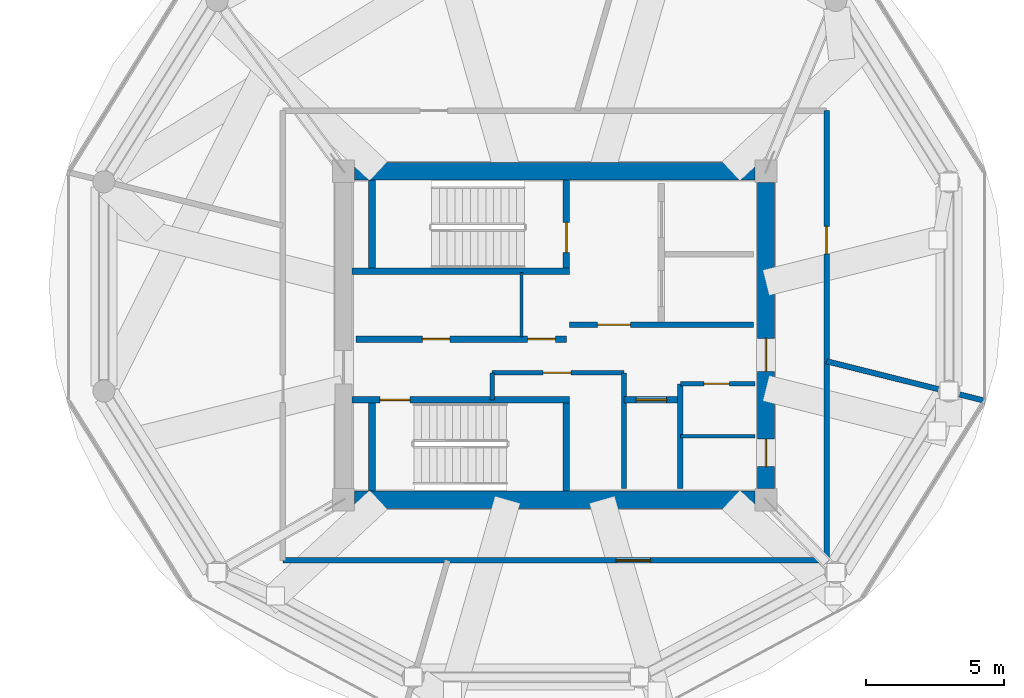
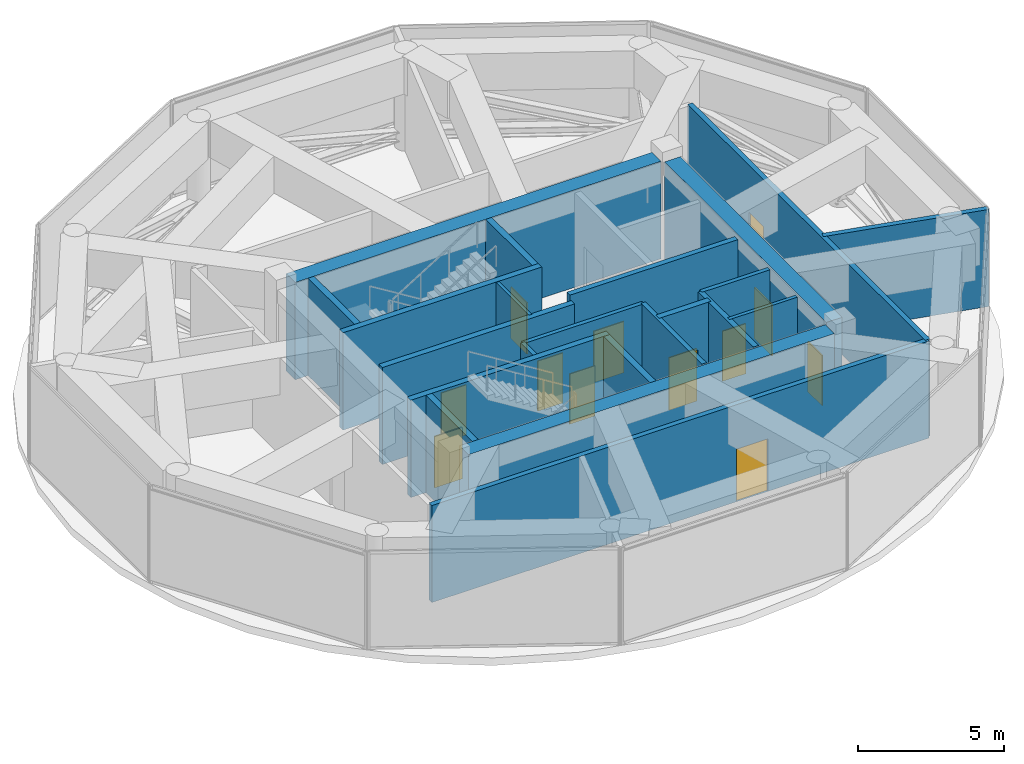
# One storey, part 15 of 20: 22 walls, 12 doors, 12 openings.
"""IFC4 building model written with IfcOpenShell, lengths in metres."""

from ifc_helpers import new_model, si_unit, direction, frame, frame_2d, origin, place, context, subcontext, project, spatial, rectangle, extrude, source, transform, mapped, material, layer, layer_set, type_object, type_shapes, element, fill, save


model = new_model("IFC4")

# Units and contexts
model_context = context("Model", 3, precision=1e-05, world=origin(), true_north=direction((0.0, 1.0)))
body_context = subcontext(model_context, "Body", "Model", "MODEL_VIEW")
ifc_project = project(units=[si_unit("LENGTHUNIT", "METRE"), si_unit("AREAUNIT", "SQUARE_METRE"), si_unit("VOLUMEUNIT", "CUBIC_METRE"), si_unit("PLANEANGLEUNIT", "RADIAN"), si_unit("MASSUNIT", "GRAM", prefix="KILO")], contexts=[model_context])

# Site, building, storey
site_placement = place(None, origin())
site = spatial("IfcSite", under=ifc_project, at=site_placement, CompositionType="ELEMENT")
building_placement = place(site_placement, origin())
building = spatial("IfcBuilding", under=site, at=building_placement, Name="Norrkilde Senior Care Towers", CompositionType="ELEMENT")
storey_placement = place(building_placement, frame((0.0, 0.0, 186.14990234375)))
storey = spatial("IfcBuildingStorey", under=building, at=storey_placement, Name="L58", CompositionType="ELEMENT", Elevation=186.14990234375)

# Walls
ifc_material_1 = material(Name="Concrete C50/60", Category="concrete")
ifc_layer_1 = layer(ifc_material_1, 0.6201171875)
ifc_layer_set_1 = layer_set([ifc_layer_1], Name="Concrete C50/60")
wall_type_1 = type_object("IfcWallType", Name="Core Shear Wall Z3 620", PredefinedType="SHEAR", material=ifc_layer_set_1)
shared_shape_1 = source(origin(), body_context, "Body", "SweptSolid", [
    extrude(rectangle(XDim=14.5, YDim=0.6201171875, at=frame_2d((7.25, 0.0))), origin(), (0.0, 0.0, 1.0), 4.080078125),
])
for number, where, z_axis, x_axis, name in (
    (1, (20.75, 5.949951171875, 0.0), (0.0, 0.0, 1.0), (1.0, 0.0, 0.0), "L58 Core E North Shear Wall"),
    (2, (35.25, -5.949951171875, 0.0), (0.0, 0.0, 1.0), (-1.0, 0.0, 0.0), "L58 Core E South Shear Wall"),
):
    element("IfcWall", number, at=place(storey_placement, frame(where, z_axis=z_axis, x_axis=x_axis)), inside=storey, type_object=wall_type_1, Name=name, PredefinedType="SHEAR", context=body_context, shape_type="MappedRepresentation", body=[
        mapped(shared_shape_1, transform((0.0, 0.0, 0.0), x_axis=(1.0, 0.0, 0.0), y_axis=(0.0, 1.0, 0.0), z_axis=(0.0, 0.0, 1.0), scale=1.0)),
    ])

# Wall, openings, doors
shared_shape_2 = source(origin(), body_context, "Body", "SweptSolid", [
    extrude(rectangle(XDim=11.10009765625, YDim=0.6201171875, at=frame_2d((5.550048828125, 0.0))), origin(), (0.0, 0.0, 1.0), 4.080078125),
])
type_shapes(wall_type_1, [shared_shape_1, shared_shape_2])
wall_1_placement = place(storey_placement, frame((35.64990234375, 5.550048828125, 0.0), z_axis=(0.0, 0.0, 1.0), x_axis=(0.0, -1.0, 0.0)))
wall_1 = element("IfcWall", 3, at=wall_1_placement, inside=storey, type_object=wall_type_1, Name="L58 Core E East Shear Wall", PredefinedType="SHEAR", context=body_context, shape_type="MappedRepresentation", body=[
    mapped(shared_shape_2, transform((0.0, 0.0, 0.0), x_axis=(1.0, 0.0, 0.0), y_axis=(0.0, 1.0, 0.0), z_axis=(0.0, 0.0, 1.0), scale=1.0)),
])
opening_1_placement = place(wall_1_placement, frame((5.64990234375, 0.0, 0.0)))
opening_1 = element("IfcOpeningElement", 4, at=opening_1_placement, cuts=wall_1, Name="Opening D-04", PredefinedType="OPENING", context=body_context, shape_type="SweptSolid", body=[
    extrude(rectangle(XDim=1.199951171875, YDim=2.14990234375, at=frame_2d((0.60009765625, 1.074951171875))), frame((0.0, 0.320068359375, 0.0), z_axis=(0.0, -1.0, 0.0), x_axis=(1.0, 0.0, 0.0)), (0.0, 0.0, 1.0), 0.64013671875),
])
opening_2_placement = place(wall_1_placement, frame((9.300048828125, 0.0, 0.0)))
opening_2 = element("IfcOpeningElement", 5, at=opening_2_placement, cuts=wall_1, Name="Opening D-10", PredefinedType="OPENING", context=body_context, shape_type="SweptSolid", body=[
    extrude(rectangle(XDim=1.0, YDim=2.10009765625, at=frame_2d((0.5, 1.050048828125))), frame((0.0, 0.320068359375, 0.0), z_axis=(0.0, -1.0, 0.0), x_axis=(1.0, 0.0, 0.0)), (0.0, 0.0, 1.0), 0.64013671875),
])
ifc_material_2 = material(Name="Galvanised Painted Steel", Category="steel")
door_type_1 = type_object("IfcDoorType", Name="Firefighting Lobby Fire Door 1200x2150", OperationType="NOTDEFINED", PredefinedType="DOOR", material=ifc_material_2)
shared_shape_3 = source(origin(), body_context, "Body", "SweptSolid", [
    extrude(rectangle(XDim=1.199951171875, YDim=2.14990234375, at=frame_2d((0.60009765625, 1.074951171875))), frame((0.0, 0.02490234375, 0.0), z_axis=(0.0, -1.0, 0.0), x_axis=(1.0, 0.0, 0.0)), (0.0, 0.0, 1.0), 0.050048828125),
])
type_shapes(door_type_1, [shared_shape_3])
door_1_placement = place(opening_1_placement, frame((1.199951171875, 0.0, 0.0), z_axis=(0.0, 0.0, 1.0), x_axis=(-1.0, 0.0, 0.0)))
door_1 = element("IfcDoor", 6, at=door_1_placement, inside=storey, type_object=door_type_1, Name="L58 Core E East Portal Door", OperationType="SINGLE_SWING_RIGHT", OverallHeight=2.14990234375, OverallWidth=1.199951171875, PredefinedType="DOOR", context=body_context, shape_type="MappedRepresentation", body=[
    mapped(shared_shape_3, transform((0.0, 0.0, 0.0), x_axis=(1.0, 0.0, 0.0), y_axis=(0.0, 1.0, 0.0), z_axis=(0.0, 0.0, 1.0), scale=1.0)),
])
fill(opening_1, door_1)
door_type_2 = type_object("IfcDoorType", Name="Plant and Riser Rated Door 1000x2100", OperationType="NOTDEFINED", PredefinedType="DOOR", material=ifc_material_2)
shared_shape_4 = source(origin(), body_context, "Body", "SweptSolid", [
    extrude(rectangle(XDim=1.0, YDim=2.10009765625, at=frame_2d((0.5, 1.050048828125))), frame((0.0, 0.02490234375, 0.0), z_axis=(0.0, -1.0, 0.0), x_axis=(1.0, 0.0, 0.0)), (0.0, 0.0, 1.0), 0.050048828125),
])
type_shapes(door_type_2, [shared_shape_4])
door_2_placement = place(opening_2_placement, frame((1.0, 0.0, 0.0), z_axis=(0.0, 0.0, 1.0), x_axis=(-1.0, 0.0, 0.0)))
door_2 = element("IfcDoor", 7, at=door_2_placement, inside=storey, type_object=door_type_2, Name="L58 Ventilation Riser E Door", OperationType="SINGLE_SWING_RIGHT", OverallHeight=2.10009765625, OverallWidth=1.0, PredefinedType="DOOR", context=body_context, shape_type="MappedRepresentation", body=[
    mapped(shared_shape_4, transform((0.0, 0.0, 0.0), x_axis=(1.0, 0.0, 0.0), y_axis=(0.0, 1.0, 0.0), z_axis=(0.0, 0.0, 1.0), scale=1.0)),
])
fill(opening_2, door_2)

# Wall
ifc_material_3 = material(Name="Concrete C45/55", Category="concrete")
ifc_layer_2 = layer(ifc_material_3, 0.239990234375)
ifc_layer_set_2 = layer_set([ifc_layer_2], Name="Concrete C45/55")
wall_type_2 = type_object("IfcWallType", Name="Shaft and Stair Enclosure Wall 240", PredefinedType="PARTITIONING", material=ifc_layer_set_2)
shared_shape_5 = source(origin(), body_context, "Body", "SweptSolid", [
    extrude(rectangle(XDim=7.880126953125, YDim=0.239990234375, at=frame_2d((3.93994140625, 0.0))), origin(), (0.0, 0.0, 1.0), 4.080078125),
])
wall_2_placement = place(storey_placement, frame((20.659912109375, 2.330078125, 0.0), z_axis=(0.0, 0.0, 1.0), x_axis=(1.0, 0.0, 0.0)))
element("IfcWall", 8, at=wall_2_placement, inside=storey, type_object=wall_type_2, Name="WL-INT-L58-E-ST1S", PredefinedType="PARTITIONING", context=body_context, shape_type="MappedRepresentation", body=[
    mapped(shared_shape_5, transform((0.0, 0.0, 0.0), x_axis=(1.0, 0.0, 0.0), y_axis=(0.0, 1.0, 0.0), z_axis=(0.0, 0.0, 1.0), scale=1.0)),
])

# Wall, opening, door
wall_3_placement = place(storey_placement, frame((20.659912109375, -2.330078125, 0.0), z_axis=(0.0, 0.0, 1.0), x_axis=(1.0, 0.0, 0.0)))
wall_3 = element("IfcWall", 9, at=wall_3_placement, inside=storey, type_object=wall_type_2, Name="WL-INT-L58-E-ST2N", PredefinedType="PARTITIONING", context=body_context, shape_type="MappedRepresentation", body=[
    mapped(shared_shape_5, transform((0.0, 0.0, 0.0), x_axis=(1.0, 0.0, 0.0), y_axis=(0.0, 1.0, 0.0), z_axis=(0.0, 0.0, 1.0), scale=1.0)),
])
opening_3_placement = place(wall_3_placement, frame((1.0, 0.0, 0.0)))
opening_3 = element("IfcOpeningElement", 10, at=opening_3_placement, cuts=wall_3, Name="Opening D-03", PredefinedType="OPENING", context=body_context, shape_type="SweptSolid", body=[
    extrude(rectangle(XDim=1.10009765625, YDim=2.14990234375, at=frame_2d((0.550048828125, 1.074951171875))), frame((0.0, 0.1298828125, 0.0), z_axis=(0.0, -1.0, 0.0), x_axis=(1.0, 0.0, 0.0)), (0.0, 0.0, 1.0), 0.260009765625),
])
door_type_3 = type_object("IfcDoorType", Name="Stairwell Protected Fire Door 1100x2150", OperationType="NOTDEFINED", PredefinedType="DOOR", material=ifc_material_2)
shared_shape_6 = source(origin(), body_context, "Body", "SweptSolid", [
    extrude(rectangle(XDim=1.10009765625, YDim=2.14990234375, at=frame_2d((0.550048828125, 1.074951171875))), frame((0.0, 0.02490234375, 0.0), z_axis=(0.0, -1.0, 0.0), x_axis=(1.0, 0.0, 0.0)), (0.0, 0.0, 1.0), 0.050048828125),
])
type_shapes(door_type_3, [shared_shape_6])
door_3_placement = place(opening_3_placement, frame((1.10009765625, 0.0, 0.0), z_axis=(0.0, 0.0, 1.0), x_axis=(-1.0, 0.0, 0.0)))
door_3 = element("IfcDoor", 11, at=door_3_placement, inside=storey, type_object=door_type_3, Name="L58 Stair E2 Fire Door", OperationType="SINGLE_SWING_RIGHT", OverallHeight=2.14990234375, OverallWidth=1.10009765625, PredefinedType="DOOR", context=body_context, shape_type="MappedRepresentation", body=[
    mapped(shared_shape_6, transform((0.0, 0.0, 0.0), x_axis=(1.0, 0.0, 0.0), y_axis=(0.0, 1.0, 0.0), z_axis=(0.0, 0.0, 1.0), scale=1.0)),
])
fill(opening_3, door_3)

# Wall
shared_shape_7 = source(origin(), body_context, "Body", "SweptSolid", [
    extrude(rectangle(XDim=3.18994140625, YDim=0.239990234375, at=frame_2d((1.594970703125, 0.0))), origin(), (0.0, 0.0, 1.0), 4.080078125),
])
type_shapes(wall_type_2, [shared_shape_5, shared_shape_7])
wall_4_placement = place(storey_placement, frame((21.3798828125, 2.449951171875, 0.0), z_axis=(0.0, 0.0, 1.0), x_axis=(0.0, 1.0, 0.0)))
element("IfcWall", 12, at=wall_4_placement, inside=storey, type_object=wall_type_2, Name="WL-INT-L58-E-ST1W", PredefinedType="PARTITIONING", context=body_context, shape_type="MappedRepresentation", body=[
    mapped(shared_shape_7, transform((0.0, 0.0, 0.0), x_axis=(1.0, 0.0, 0.0), y_axis=(0.0, 1.0, 0.0), z_axis=(0.0, 0.0, 1.0), scale=1.0)),
])

# Wall, opening, door
wall_5_placement = place(storey_placement, frame((28.419921875, 2.449951171875, 0.0), z_axis=(0.0, 0.0, 1.0), x_axis=(0.0, 1.0, 0.0)))
wall_5 = element("IfcWall", 13, at=wall_5_placement, inside=storey, type_object=wall_type_2, Name="WL-INT-L58-E-ST1E", PredefinedType="PARTITIONING", context=body_context, shape_type="MappedRepresentation", body=[
    mapped(shared_shape_7, transform((0.0, 0.0, 0.0), x_axis=(1.0, 0.0, 0.0), y_axis=(0.0, 1.0, 0.0), z_axis=(0.0, 0.0, 1.0), scale=1.0)),
])
opening_4_placement = place(wall_5_placement, frame((0.550048828125, 0.0, 0.0)))
opening_4 = element("IfcOpeningElement", 14, at=opening_4_placement, cuts=wall_5, Name="Opening D-03", PredefinedType="OPENING", context=body_context, shape_type="SweptSolid", body=[
    extrude(rectangle(XDim=1.10009765625, YDim=2.14990234375, at=frame_2d((0.550048828125, 1.074951171875))), frame((0.0, 0.1298828125, 0.0), z_axis=(0.0, -1.0, 0.0), x_axis=(1.0, 0.0, 0.0)), (0.0, 0.0, 1.0), 0.260009765625),
])
door_4_placement = place(opening_4_placement, origin())
door_4 = element("IfcDoor", 15, at=door_4_placement, inside=storey, type_object=door_type_3, Name="L58 Stair E1 Fire Door", OperationType="SINGLE_SWING_LEFT", OverallHeight=2.14990234375, OverallWidth=1.10009765625, PredefinedType="DOOR", context=body_context, shape_type="MappedRepresentation", body=[
    mapped(shared_shape_6, transform((0.0, 0.0, 0.0), x_axis=(1.0, 0.0, 0.0), y_axis=(0.0, 1.0, 0.0), z_axis=(0.0, 0.0, 1.0), scale=1.0)),
])
fill(opening_4, door_4)

# Walls
for number, where, z_axis, x_axis, name in (
    (16, (21.3798828125, -5.639892578125, 0.0), (0.0, 0.0, 1.0), (0.0, 1.0, 0.0), "WL-INT-L58-E-ST2W"),
    (17, (28.419921875, -5.639892578125, 0.0), (0.0, 0.0, 1.0), (0.0, 1.0, 0.0), "WL-INT-L58-E-ST2E"),
):
    element("IfcWall", number, at=place(storey_placement, frame(where, z_axis=z_axis, x_axis=x_axis)), inside=storey, type_object=wall_type_2, Name=name, PredefinedType="PARTITIONING", context=body_context, shape_type="MappedRepresentation", body=[
        mapped(shared_shape_7, transform((0.0, 0.0, 0.0), x_axis=(1.0, 0.0, 0.0), y_axis=(0.0, 1.0, 0.0), z_axis=(0.0, 0.0, 1.0), scale=1.0)),
    ])

# Wall, opening, door
ifc_layer_3 = layer(ifc_material_3, 0.2099609375)
ifc_layer_set_3 = layer_set([ifc_layer_3], Name="Concrete C45/55")
wall_type_3 = type_object("IfcWallType", Name="Firefighting Lobby Wall 210", PredefinedType="PARTITIONING", material=ifc_layer_set_3)
shared_shape_8 = source(origin(), body_context, "Body", "SweptSolid", [
    extrude(rectangle(XDim=6.659912109375, YDim=0.2099609375, at=frame_2d((3.330078125, 0.0))), origin(), (0.0, 0.0, 1.0), 4.065185546875),
])
type_shapes(wall_type_3, [shared_shape_8])
wall_6_placement = place(storey_placement, frame((28.5400390625, 0.389892578125, 0.0), z_axis=(0.0, 0.0, 1.0), x_axis=(1.0, 0.0, 0.0)))
wall_6 = element("IfcWall", 18, at=wall_6_placement, inside=storey, type_object=wall_type_3, Name="WL-INT-L58-E-FFLS", PredefinedType="PARTITIONING", context=body_context, shape_type="MappedRepresentation", body=[
    mapped(shared_shape_8, transform((0.0, 0.0, 0.0), x_axis=(1.0, 0.0, 0.0), y_axis=(0.0, 1.0, 0.0), z_axis=(0.0, 0.0, 1.0), scale=1.0)),
])
opening_5_placement = place(wall_6_placement, frame((1.0, 0.0, 0.0)))
opening_5 = element("IfcOpeningElement", 19, at=opening_5_placement, cuts=wall_6, Name="Opening D-04", PredefinedType="OPENING", context=body_context, shape_type="SweptSolid", body=[
    extrude(rectangle(XDim=1.199951171875, YDim=2.14990234375, at=frame_2d((0.60009765625, 1.074951171875))), frame((0.0, 0.114990234375, 0.0), z_axis=(0.0, -1.0, 0.0), x_axis=(1.0, 0.0, 0.0)), (0.0, 0.0, 1.0), 0.22998046875),
])
door_5_placement = place(opening_5_placement, frame((1.199951171875, 0.0, 0.0), z_axis=(0.0, 0.0, 1.0), x_axis=(-1.0, 0.0, 0.0)))
door_5 = element("IfcDoor", 20, at=door_5_placement, inside=storey, type_object=door_type_1, Name="L58 Firefighting Lobby E Door", OperationType="SINGLE_SWING_LEFT", OverallHeight=2.14990234375, OverallWidth=1.199951171875, PredefinedType="DOOR", context=body_context, shape_type="MappedRepresentation", body=[
    mapped(shared_shape_3, transform((0.0, 0.0, 0.0), x_axis=(1.0, 0.0, 0.0), y_axis=(0.0, 1.0, 0.0), z_axis=(0.0, 0.0, 1.0), scale=1.0)),
])
fill(opening_5, door_5)

# Wall, openings, doors
ifc_layer_4 = layer(ifc_material_3, 0.239990234375)
ifc_layer_set_4 = layer_set([ifc_layer_4], Name="Concrete C45/55")
wall_type_4 = type_object("IfcWallType", Name="Lift and Plant Rated Enclosure Partition 240", PredefinedType="PARTITIONING", material=ifc_layer_set_4)
shared_shape_9 = source(origin(), body_context, "Body", "SweptSolid", [
    extrude(rectangle(XDim=7.619873046875, YDim=0.239990234375, at=frame_2d((3.81005859375, 0.0))), origin(), (0.0, 0.0, 1.0), 4.065185546875),
])
wall_7_placement = place(storey_placement, frame((20.800048828125, -0.1298828125, 0.0), z_axis=(0.0, 0.0, 1.0), x_axis=(1.0, 0.0, 0.0)))
wall_7 = element("IfcWall", 21, at=wall_7_placement, inside=storey, type_object=wall_type_4, Name="WL-INT-L58-E-PKAS", PredefinedType="PARTITIONING", context=body_context, shape_type="MappedRepresentation", body=[
    mapped(shared_shape_9, transform((0.0, 0.0, 0.0), x_axis=(1.0, 0.0, 0.0), y_axis=(0.0, 1.0, 0.0), z_axis=(0.0, 0.0, 1.0), scale=1.0)),
])
opening_6_placement = place(wall_7_placement, frame((6.219970703125, 0.0, 0.0)))
opening_6 = element("IfcOpeningElement", 22, at=opening_6_placement, cuts=wall_7, Name="Opening D-10", PredefinedType="OPENING", context=body_context, shape_type="SweptSolid", body=[
    extrude(rectangle(XDim=1.0, YDim=2.10009765625, at=frame_2d((0.5, 1.050048828125))), frame((0.0, 0.1298828125, 0.0), z_axis=(0.0, -1.0, 0.0), x_axis=(1.0, 0.0, 0.0)), (0.0, 0.0, 1.0), 0.260009765625),
])
opening_7_placement = place(wall_7_placement, frame((2.39990234375, 0.0, 0.0)))
opening_7 = element("IfcOpeningElement", 23, at=opening_7_placement, cuts=wall_7, Name="Opening D-10", PredefinedType="OPENING", context=body_context, shape_type="SweptSolid", body=[
    extrude(rectangle(XDim=1.0, YDim=2.10009765625, at=frame_2d((0.5, 1.050048828125))), frame((0.0, 0.1298828125, 0.0), z_axis=(0.0, -1.0, 0.0), x_axis=(1.0, 0.0, 0.0)), (0.0, 0.0, 1.0), 0.260009765625),
])
door_6_placement = place(opening_6_placement, frame((1.0, 0.0, 0.0), z_axis=(0.0, 0.0, 1.0), x_axis=(-1.0, 0.0, 0.0)))
door_6 = element("IfcDoor", 24, at=door_6_placement, inside=storey, type_object=door_type_2, Name="L58 Electrical Riser E Door", OperationType="SINGLE_SWING_LEFT", OverallHeight=2.10009765625, OverallWidth=1.0, PredefinedType="DOOR", context=body_context, shape_type="MappedRepresentation", body=[
    mapped(shared_shape_4, transform((0.0, 0.0, 0.0), x_axis=(1.0, 0.0, 0.0), y_axis=(0.0, 1.0, 0.0), z_axis=(0.0, 0.0, 1.0), scale=1.0)),
])
fill(opening_6, door_6)
door_7_placement = place(opening_7_placement, frame((1.0, 0.0, 0.0), z_axis=(0.0, 0.0, 1.0), x_axis=(-1.0, 0.0, 0.0)))
door_7 = element("IfcDoor", 25, at=door_7_placement, inside=storey, type_object=door_type_2, Name="L58 Clean Supply Store E Door", OperationType="SINGLE_SWING_LEFT", OverallHeight=2.10009765625, OverallWidth=1.0, PredefinedType="DOOR", context=body_context, shape_type="MappedRepresentation", body=[
    mapped(shared_shape_4, transform((0.0, 0.0, 0.0), x_axis=(1.0, 0.0, 0.0), y_axis=(0.0, 1.0, 0.0), z_axis=(0.0, 0.0, 1.0), scale=1.0)),
])
fill(opening_7, door_7)

# Walls
ifc_material_4 = material(Name="Gypsum Acoustic Board")
ifc_layer_5 = layer(ifc_material_4, 0.114990234375)
ifc_layer_set_5 = layer_set([ifc_layer_5], Name="Gypsum Acoustic Board")
wall_type_5 = type_object("IfcWallType", Name="Internal Room Partition 115", PredefinedType="PARTITIONING", material=ifc_layer_set_5)
shared_shape_10 = source(origin(), body_context, "Body", "SweptSolid", [
    extrude(rectangle(XDim=2.330078125, YDim=0.114990234375, at=frame_2d((1.1650390625, 0.0))), origin(), (0.0, 0.0, 1.0), 4.065185546875),
])
type_shapes(wall_type_5, [shared_shape_10])
wall_8_placement = place(storey_placement, frame((26.7900390625, -0.050048828125, 0.0), z_axis=(0.0, 0.0, 1.0), x_axis=(0.0, 1.0, 0.0)))
element("IfcWall", 26, at=wall_8_placement, inside=storey, type_object=wall_type_5, Name="WL-INT-L58-E-RISW", PredefinedType="PARTITIONING", context=body_context, shape_type="MappedRepresentation", body=[
    mapped(shared_shape_10, transform((0.0, 0.0, 0.0), x_axis=(1.0, 0.0, 0.0), y_axis=(0.0, 1.0, 0.0), z_axis=(0.0, 0.0, 1.0), scale=1.0)),
])
ifc_layer_6 = layer(ifc_material_3, 0.199951171875)
ifc_layer_set_6 = layer_set([ifc_layer_6], Name="Concrete C45/55")
wall_type_6 = type_object("IfcWallType", Name="Shaft Division and Plant Partition 200", PredefinedType="PARTITIONING", material=ifc_layer_set_6)
shared_shape_11 = source(origin(), body_context, "Body", "SweptSolid", [
    extrude(rectangle(XDim=3.800048828125, YDim=0.199951171875, at=frame_2d((1.89990234375, 0.0))), origin(), (0.0, 0.0, 1.0), 4.065185546875),
])
wall_9_placement = place(storey_placement, frame((32.550048828125, -5.550048828125, 0.0), z_axis=(0.0, 0.0, 1.0), x_axis=(0.0, 1.0, 0.0)))
element("IfcWall", 27, at=wall_9_placement, inside=storey, type_object=wall_type_6, Name="WL-INT-L58-E-PKBE", PredefinedType="PARTITIONING", context=body_context, shape_type="MappedRepresentation", body=[
    mapped(shared_shape_11, transform((0.0, 0.0, 0.0), x_axis=(1.0, 0.0, 0.0), y_axis=(0.0, 1.0, 0.0), z_axis=(0.0, 0.0, 1.0), scale=1.0)),
])

# Wall, opening, door
shared_shape_12 = source(origin(), body_context, "Body", "SweptSolid", [
    extrude(rectangle(XDim=2.050048828125, YDim=0.239990234375, at=frame_2d((1.02490234375, 0.0))), origin(), (0.0, 0.0, 1.0), 4.065185546875),
])
type_shapes(wall_type_4, [shared_shape_9, shared_shape_12])
wall_10_placement = place(storey_placement, frame((30.5, -2.330078125, 0.0), z_axis=(0.0, 0.0, 1.0), x_axis=(1.0, 0.0, 0.0)))
wall_10 = element("IfcWall", 28, at=wall_10_placement, inside=storey, type_object=wall_type_4, Name="WL-INT-L58-E-PL4N", PredefinedType="PARTITIONING", context=body_context, shape_type="MappedRepresentation", body=[
    mapped(shared_shape_12, transform((0.0, 0.0, 0.0), x_axis=(1.0, 0.0, 0.0), y_axis=(0.0, 1.0, 0.0), z_axis=(0.0, 0.0, 1.0), scale=1.0)),
])
opening_8_placement = place(wall_10_placement, frame((0.449951171875, 0.0, 0.0)))
opening_8 = element("IfcOpeningElement", 29, at=opening_8_placement, cuts=wall_10, Name="Opening LD-01", PredefinedType="OPENING", context=body_context, shape_type="SweptSolid", body=[
    extrude(rectangle(XDim=1.10009765625, YDim=2.199951171875, at=frame_2d((0.550048828125, 1.10009765625))), frame((0.0, 0.1298828125, 0.0), z_axis=(0.0, -1.0, 0.0), x_axis=(1.0, 0.0, 0.0)), (0.0, 0.0, 1.0), 0.260009765625),
])
ifc_material_5 = material(Name="Stainless Steel", Category="steel")
door_type_4 = type_object("IfcDoorType", Name="Lift Landing Sliding Door 1100x2200", OperationType="NOTDEFINED", PredefinedType="DOOR", material=ifc_material_5)
shared_shape_13 = source(origin(), body_context, "Body", "SweptSolid", [
    extrude(rectangle(XDim=1.10009765625, YDim=2.199951171875, at=frame_2d((0.550048828125, 1.10009765625))), frame((0.0, 0.02490234375, 0.0), z_axis=(0.0, -1.0, 0.0), x_axis=(1.0, 0.0, 0.0)), (0.0, 0.0, 1.0), 0.050048828125),
])
type_shapes(door_type_4, [shared_shape_13])
door_8_placement = place(opening_8_placement, frame((1.10009765625, 0.0, 0.0), z_axis=(0.0, 0.0, 1.0), x_axis=(-1.0, 0.0, 0.0)))
door_8 = element("IfcDoor", 30, at=door_8_placement, inside=storey, type_object=door_type_4, Name="L58 Passenger Lift E4 Landing Door", OperationType="SLIDING_TO_RIGHT", OverallHeight=2.199951171875, OverallWidth=1.10009765625, PredefinedType="DOOR", context=body_context, shape_type="MappedRepresentation", body=[
    mapped(shared_shape_13, transform((0.0, 0.0, 0.0), x_axis=(1.0, 0.0, 0.0), y_axis=(0.0, 1.0, 0.0), z_axis=(0.0, 0.0, 1.0), scale=1.0)),
])
fill(opening_8, door_8)

# Wall
ifc_layer_7 = layer(ifc_material_3, 0.179931640625)
ifc_layer_set_7 = layer_set([ifc_layer_7], Name="Concrete C45/55")
wall_type_7 = type_object("IfcWallType", Name="Hoistway Division Rated Partition 180", PredefinedType="PARTITIONING", material=ifc_layer_set_7)
shared_shape_14 = source(origin(), body_context, "Body", "SweptSolid", [
    extrude(rectangle(XDim=4.199951171875, YDim=0.179931640625, at=frame_2d((2.10009765625, 0.0))), origin(), (0.0, 0.0, 1.0), 4.065185546875),
])
type_shapes(wall_type_7, [shared_shape_14])
wall_11_placement = place(storey_placement, frame((30.5, -5.550048828125, 0.0), z_axis=(0.0, 0.0, 1.0), x_axis=(0.0, 1.0, 0.0)))
element("IfcWall", 31, at=wall_11_placement, inside=storey, type_object=wall_type_7, Name="WL-INT-L58-E-PL4W", PredefinedType="PARTITIONING", context=body_context, shape_type="MappedRepresentation", body=[
    mapped(shared_shape_14, transform((0.0, 0.0, 0.0), x_axis=(1.0, 0.0, 0.0), y_axis=(0.0, 1.0, 0.0), z_axis=(0.0, 0.0, 1.0), scale=1.0)),
])

# Wall, opening, door
ifc_layer_8 = layer(ifc_material_4, 0.1650390625)
ifc_layer_set_8 = layer_set([ifc_layer_8], Name="Gypsum Acoustic Board")
wall_type_8 = type_object("IfcWallType", Name="Corridor Rated Partition 165", PredefinedType="PARTITIONING", material=ifc_layer_set_8)
shared_shape_15 = source(origin(), body_context, "Body", "SweptSolid", [
    extrude(rectangle(XDim=4.77001953125, YDim=0.1650390625, at=frame_2d((2.385009765625, 0.0))), origin(), (0.0, 0.0, 1.0), 4.065185546875),
])
wall_12_placement = place(storey_placement, frame((25.72998046875, -1.35009765625, 0.0), z_axis=(0.0, 0.0, 1.0), x_axis=(1.0, 0.0, 0.0)))
wall_12 = element("IfcWall", 32, at=wall_12_placement, inside=storey, type_object=wall_type_8, Name="WL-INT-L58-E-FR2N", PredefinedType="PARTITIONING", context=body_context, shape_type="MappedRepresentation", body=[
    mapped(shared_shape_15, transform((0.0, 0.0, 0.0), x_axis=(1.0, 0.0, 0.0), y_axis=(0.0, 1.0, 0.0), z_axis=(0.0, 0.0, 1.0), scale=1.0)),
])
opening_9_placement = place(wall_12_placement, frame((1.85009765625, 0.0, 0.0)))
opening_9 = element("IfcOpeningElement", 33, at=opening_9_placement, cuts=wall_12, Name="Opening D-10", PredefinedType="OPENING", context=body_context, shape_type="SweptSolid", body=[
    extrude(rectangle(XDim=1.0, YDim=2.10009765625, at=frame_2d((0.5, 1.050048828125))), frame((0.0, 0.092529296875, 0.0), z_axis=(0.0, -1.0, 0.0), x_axis=(1.0, 0.0, 0.0)), (0.0, 0.0, 1.0), 0.18505859375),
])
door_9_placement = place(opening_9_placement, origin())
door_9 = element("IfcDoor", 34, at=door_9_placement, inside=storey, type_object=door_type_2, Name="L58 Core Pantry E Door", OperationType="SINGLE_SWING_RIGHT", OverallHeight=2.10009765625, OverallWidth=1.0, PredefinedType="DOOR", context=body_context, shape_type="MappedRepresentation", body=[
    mapped(shared_shape_4, transform((0.0, 0.0, 0.0), x_axis=(1.0, 0.0, 0.0), y_axis=(0.0, 1.0, 0.0), z_axis=(0.0, 0.0, 1.0), scale=1.0)),
])
fill(opening_9, door_9)

# Wall
shared_shape_16 = source(origin(), body_context, "Body", "SweptSolid", [
    extrude(rectangle(XDim=0.97998046875, YDim=0.1650390625, at=frame_2d((0.489990234375, 0.0))), origin(), (0.0, 0.0, 1.0), 4.065185546875),
])
wall_13_placement = place(storey_placement, frame((25.72998046875, -2.330078125, 0.0), z_axis=(0.0, 0.0, 1.0), x_axis=(0.0, 1.0, 0.0)))
element("IfcWall", 35, at=wall_13_placement, inside=storey, type_object=wall_type_8, Name="WL-INT-L58-E-FR2W", PredefinedType="PARTITIONING", context=body_context, shape_type="MappedRepresentation", body=[
    mapped(shared_shape_16, transform((0.0, 0.0, 0.0), x_axis=(1.0, 0.0, 0.0), y_axis=(0.0, 1.0, 0.0), z_axis=(0.0, 0.0, 1.0), scale=1.0)),
])

# Wall, opening, door
shared_shape_17 = source(origin(), body_context, "Body", "SweptSolid", [
    extrude(rectangle(XDim=2.699951171875, YDim=0.1650390625, at=frame_2d((1.35009765625, 0.0))), origin(), (0.0, 0.0, 1.0), 4.065185546875),
])
type_shapes(wall_type_8, [shared_shape_15, shared_shape_16, shared_shape_17])
wall_14_placement = place(storey_placement, frame((32.550048828125, -1.75, 0.0), z_axis=(0.0, 0.0, 1.0), x_axis=(1.0, 0.0, 0.0)))
wall_14 = element("IfcWall", 36, at=wall_14_placement, inside=storey, type_object=wall_type_8, Name="WL-INT-L58-E-CSN", PredefinedType="PARTITIONING", context=body_context, shape_type="MappedRepresentation", body=[
    mapped(shared_shape_17, transform((0.0, 0.0, 0.0), x_axis=(1.0, 0.0, 0.0), y_axis=(0.0, 1.0, 0.0), z_axis=(0.0, 0.0, 1.0), scale=1.0)),
])
opening_10_placement = place(wall_14_placement, frame((0.85009765625, 0.0, 0.0)))
opening_10 = element("IfcOpeningElement", 37, at=opening_10_placement, cuts=wall_14, Name="Opening D-12", PredefinedType="OPENING", context=body_context, shape_type="SweptSolid", body=[
    extrude(rectangle(XDim=0.925048828125, YDim=2.10009765625, at=frame_2d((0.46240234375, 1.050048828125))), frame((0.0, 0.092529296875, 0.0), z_axis=(0.0, -1.0, 0.0), x_axis=(1.0, 0.0, 0.0)), (0.0, 0.0, 1.0), 0.18505859375),
])
door_type_5 = type_object("IfcDoorType", Name="Core Wet Room Rated Door 925x2100", OperationType="NOTDEFINED", PredefinedType="DOOR", material=ifc_material_2)
shared_shape_18 = source(origin(), body_context, "Body", "SweptSolid", [
    extrude(rectangle(XDim=0.925048828125, YDim=2.10009765625, at=frame_2d((0.46240234375, 1.050048828125))), frame((0.0, 0.02490234375, 0.0), z_axis=(0.0, -1.0, 0.0), x_axis=(1.0, 0.0, 0.0)), (0.0, 0.0, 1.0), 0.050048828125),
])
type_shapes(door_type_5, [shared_shape_18])
door_10_placement = place(opening_10_placement, origin())
door_10 = element("IfcDoor", 38, at=door_10_placement, inside=storey, type_object=door_type_5, Name="L58 Staff WC E Door", OperationType="SINGLE_SWING_LEFT", OverallHeight=2.10009765625, OverallWidth=0.925048828125, PredefinedType="DOOR", context=body_context, shape_type="MappedRepresentation", body=[
    mapped(shared_shape_18, transform((0.0, 0.0, 0.0), x_axis=(1.0, 0.0, 0.0), y_axis=(0.0, 1.0, 0.0), z_axis=(0.0, 0.0, 1.0), scale=1.0)),
])
fill(opening_10, door_10)

# Wall
ifc_layer_9 = layer(ifc_material_4, 0.139892578125)
ifc_layer_set_9 = layer_set([ifc_layer_9], Name="Gypsum Acoustic Board")
wall_type_9 = type_object("IfcWallType", Name="En-suite Wet Room Wall 140", PredefinedType="PARTITIONING", material=ifc_layer_set_9)
shared_shape_19 = source(origin(), body_context, "Body", "SweptSolid", [
    extrude(rectangle(XDim=2.699951171875, YDim=0.139892578125, at=frame_2d((1.35009765625, 0.0))), origin(), (0.0, 0.0, 1.0), 4.065185546875),
])
type_shapes(wall_type_9, [shared_shape_19])
wall_15_placement = place(storey_placement, frame((32.550048828125, -3.64990234375, 0.0), z_axis=(0.0, 0.0, 1.0), x_axis=(1.0, 0.0, 0.0)))
element("IfcWall", 39, at=wall_15_placement, inside=storey, type_object=wall_type_9, Name="WL-INT-L58-E-CS2H", PredefinedType="PARTITIONING", context=body_context, shape_type="MappedRepresentation", body=[
    mapped(shared_shape_19, transform((0.0, 0.0, 0.0), x_axis=(1.0, 0.0, 0.0), y_axis=(0.0, 1.0, 0.0), z_axis=(0.0, 0.0, 1.0), scale=1.0)),
])

# Wall, opening, door
shared_shape_20 = source(origin(), body_context, "Body", "SweptSolid", [
    extrude(rectangle(XDim=19.7001953125, YDim=0.199951171875, at=frame_2d((9.85009765625, 0.0))), origin(), (0.0, 0.0, 1.0), 4.065185546875),
])
wall_16_placement = place(storey_placement, frame((37.85009765625, -8.14990234375, 0.0), z_axis=(0.0, 0.0, 1.0), x_axis=(-1.0, 0.0, 0.0)))
wall_16 = element("IfcWall", 40, at=wall_16_placement, inside=storey, type_object=wall_type_6, Name="WL-INT-L58-E-PCR-S", PredefinedType="PARTITIONING", context=body_context, shape_type="MappedRepresentation", body=[
    mapped(shared_shape_20, transform((0.0, 0.0, 0.0), x_axis=(1.0, 0.0, 0.0), y_axis=(0.0, 1.0, 0.0), z_axis=(0.0, 0.0, 1.0), scale=1.0)),
])
opening_11_placement = place(wall_16_placement, frame((6.37548828125, 0.0, 0.0)))
opening_11 = element("IfcOpeningElement", 41, at=opening_11_placement, cuts=wall_16, Name="Opening D-05", PredefinedType="OPENING", context=body_context, shape_type="SweptSolid", body=[
    extrude(rectangle(XDim=1.25, YDim=2.199951171875, at=frame_2d((0.625, 1.10009765625))), frame((0.0, 0.10986328125, 0.0), z_axis=(0.0, -1.0, 0.0), x_axis=(1.0, 0.0, 0.0)), (0.0, 0.0, 1.0), 0.219970703125),
])
ifc_material_6 = material(Name="Nordic Ash Timber", Category="wood")
door_type_6 = type_object("IfcDoorType", Name="Care Bedroom Bariatric Door 1250x2200", OperationType="NOTDEFINED", PredefinedType="DOOR", material=ifc_material_6)
shared_shape_21 = source(origin(), body_context, "Body", "SweptSolid", [
    extrude(rectangle(XDim=1.25, YDim=2.199951171875, at=frame_2d((0.625, 1.10009765625))), frame((0.0, 0.02490234375, 0.0), z_axis=(0.0, -1.0, 0.0), x_axis=(1.0, 0.0, 0.0)), (0.0, 0.0, 1.0), 0.050048828125),
])
type_shapes(door_type_6, [shared_shape_21])
door_11_placement = place(opening_11_placement, frame((1.25, 0.0, 0.0), z_axis=(0.0, 0.0, 1.0), x_axis=(-1.0, 0.0, 0.0)))
door_11 = element("IfcDoor", 42, at=door_11_placement, inside=storey, type_object=door_type_6, Name="L58 Protected Emergency Refuge Area E Door", OperationType="SINGLE_SWING_LEFT", OverallHeight=2.199951171875, OverallWidth=1.25, PredefinedType="DOOR", context=body_context, shape_type="MappedRepresentation", body=[
    mapped(shared_shape_21, transform((0.0, 0.0, 0.0), x_axis=(1.0, 0.0, 0.0), y_axis=(0.0, 1.0, 0.0), z_axis=(0.0, 0.0, 1.0), scale=1.0)),
])
fill(opening_11, door_11)

shared_shape_22 = source(origin(), body_context, "Body", "SweptSolid", [
    extrude(rectangle(XDim=16.2998046875, YDim=0.199951171875, at=frame_2d((8.14990234375, 0.0))), origin(), (0.0, 0.0, 1.0), 4.065185546875),
])
wall_17_placement = place(storey_placement, frame((37.85009765625, 8.14990234375, 0.0), z_axis=(0.0, 0.0, 1.0), x_axis=(0.0, -1.0, 0.0)))
wall_17 = element("IfcWall", 43, at=wall_17_placement, inside=storey, type_object=wall_type_6, Name="WL-INT-L58-E-PCR-E", PredefinedType="PARTITIONING", context=body_context, shape_type="MappedRepresentation", body=[
    mapped(shared_shape_22, transform((0.0, 0.0, 0.0), x_axis=(1.0, 0.0, 0.0), y_axis=(0.0, 1.0, 0.0), z_axis=(0.0, 0.0, 1.0), scale=1.0)),
])
opening_12_placement = place(wall_17_placement, frame((4.197021484375, 0.0, 0.0)))
opening_12 = element("IfcOpeningElement", 44, at=opening_12_placement, cuts=wall_17, Name="Opening D-10", PredefinedType="OPENING", context=body_context, shape_type="SweptSolid", body=[
    extrude(rectangle(XDim=1.0, YDim=2.10009765625, at=frame_2d((0.5, 1.050048828125))), frame((0.0, 0.10986328125, 0.0), z_axis=(0.0, -1.0, 0.0), x_axis=(1.0, 0.0, 0.0)), (0.0, 0.0, 1.0), 0.219970703125),
])
door_12_placement = place(opening_12_placement, frame((1.0, 0.0, 0.0), z_axis=(0.0, 0.0, 1.0), x_axis=(-1.0, 0.0, 0.0)))
door_12 = element("IfcDoor", 45, at=door_12_placement, inside=storey, type_object=door_type_2, Name="L58 Chiller and Heat-Recovery Cooling Plant Door", OperationType="SINGLE_SWING_RIGHT", OverallHeight=2.10009765625, OverallWidth=1.0, PredefinedType="DOOR", context=body_context, shape_type="MappedRepresentation", body=[
    mapped(shared_shape_4, transform((0.0, 0.0, 0.0), x_axis=(1.0, 0.0, 0.0), y_axis=(0.0, 1.0, 0.0), z_axis=(0.0, 0.0, 1.0), scale=1.0)),
])
fill(opening_12, door_12)

# Wall
shared_shape_23 = source(origin(), body_context, "Body", "SweptSolid", [
    extrude(rectangle(XDim=5.914306640625, YDim=0.199951171875, at=frame_2d((2.95703125, 0.0))), origin(), (0.0, 0.0, 1.0), 4.065185546875),
])
type_shapes(wall_type_6, [shared_shape_11, shared_shape_20, shared_shape_22, shared_shape_23])
wall_18_placement = place(storey_placement, frame((37.85009765625, -0.935302734375, 0.0), z_axis=(0.0, 0.0, 1.0), x_axis=(0.970312235668, -0.241855670415, 0.0)))
element("IfcWall", 46, at=wall_18_placement, inside=storey, type_object=wall_type_6, Name="WL-INT-L58-E-PRAD-1-0", PredefinedType="PARTITIONING", context=body_context, shape_type="MappedRepresentation", body=[
    mapped(shared_shape_23, transform((0.0, 0.0, 0.0), x_axis=(1.0, 0.0, 0.0), y_axis=(0.0, 1.0, 0.0), z_axis=(0.0, 0.0, 1.0), scale=1.0)),
])

save(model, "model.ifc")
